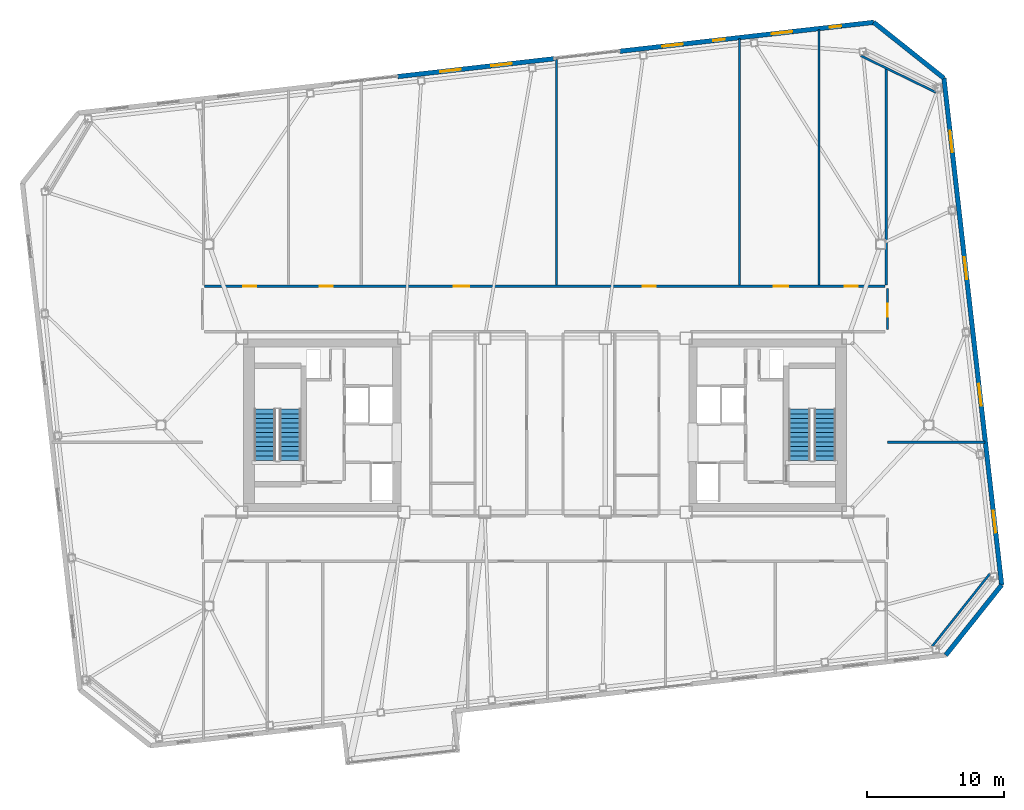
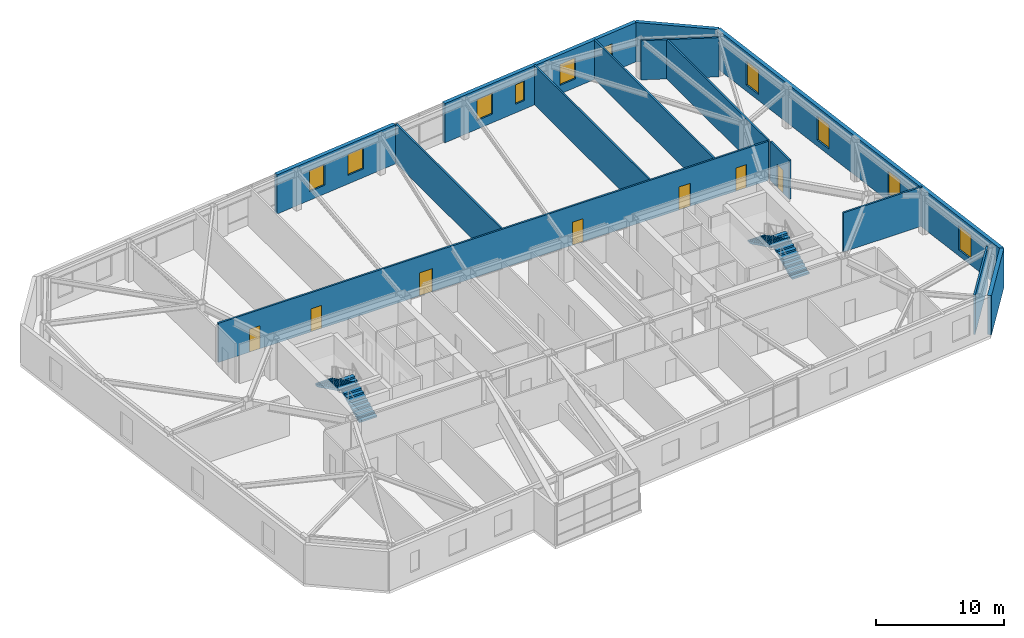
# One storey, part 16 of 19: 14 walls, 10 windows, 7 doors, 4 stair flights, 17 openings, 2 elements without a shape of their own.
"""IFC4 building model written with IfcOpenShell, lengths in metres."""

from ifc_helpers import new_model, si_unit, direction, frame, frame_2d, origin, place, context, subcontext, project, spatial, polyline, rectangle, outline, extrude, material, layer, layer_set, type_object, element, fill, aggregate, save


model = new_model("IFC4")

# Units and contexts
model_context = context("Model", 3, precision=1e-05, world=origin(), true_north=direction((0.0, 1.0)))
body_context = subcontext(model_context, "Body", "Model", "MODEL_VIEW")
ifc_project = project(units=[si_unit("LENGTHUNIT", "METRE"), si_unit("AREAUNIT", "SQUARE_METRE"), si_unit("VOLUMEUNIT", "CUBIC_METRE"), si_unit("PLANEANGLEUNIT", "RADIAN"), si_unit("MASSUNIT", "GRAM", prefix="KILO")], contexts=[model_context])

# Site, building, storey
site_placement = place(None, origin())
site = spatial("IfcSite", under=ifc_project, at=site_placement, CompositionType="ELEMENT")
building_placement = place(site_placement, origin())
building = spatial("IfcBuilding", under=site, at=building_placement, Name="Tavrogorsk Clinical Tower", CompositionType="ELEMENT")
storey_placement = place(building_placement, frame((0.0, 0.0, 218.199951171875)))
storey = spatial("IfcBuildingStorey", under=building, at=storey_placement, Name="L50", CompositionType="ELEMENT", Elevation=218.199951171875)

# Walls
ifc_material_1 = material(Name="Lightweight concrete blockwork B15", Category="masonry")
ifc_layer_1 = layer(ifc_material_1, 0.159912109375)
ifc_layer_set_1 = layer_set([ifc_layer_1], Name="Lightweight concrete blockwork B15")
wall_type_1 = type_object("IfcWallType", Name="PartitionWall_160", PredefinedType="PARTITIONING", material=ifc_layer_set_1)
wall_1_placement = place(storey_placement, frame((28.242431640625, -16.1337890625, 0.0), z_axis=(0.0, 0.0, 1.0), x_axis=(0.622521563328, 0.782602647064, 0.0)))
element("IfcWall", 1, at=wall_1_placement, inside=storey, type_object=wall_type_1, Name="L50 Corner Exoskeleton Brace Furring Wall 1", PredefinedType="PARTITIONING", context=body_context, shape_type="SweptSolid", body=[
    extrude(rectangle(XDim=6.788330078125, YDim=0.159912109375, at=frame_2d((3.39404296875, 0.0))), origin(), (0.0, 0.0, 1.0), 3.739990234375),
])
wall_2_placement = place(storey_placement, frame((28.5283203125, 24.27099609375, 0.0), z_axis=(0.0, 0.0, 1.0), x_axis=(-0.898820692789, 0.438316509173, 0.0)))
element("IfcWall", 2, at=wall_2_placement, inside=storey, type_object=wall_type_1, Name="L50 Corner Exoskeleton Brace Furring Wall 2", PredefinedType="PARTITIONING", context=body_context, shape_type="SweptSolid", body=[
    extrude(rectangle(XDim=6.10693359375, YDim=0.159912109375, at=frame_2d((3.053466796875, 0.0))), origin(), (0.0, 0.0, 1.0), 3.739990234375),
])

# Wall, openings, doors
wall_3_placement = place(storey_placement, frame((-24.81494140625, 10.1298828125, 0.0), z_axis=(0.0, 0.0, 1.0), x_axis=(1.0, 0.0, 0.0)))
wall_3 = element("IfcWall", 3, at=wall_3_placement, inside=storey, type_object=wall_type_1, Name="L50 Corridor Partition 05", PredefinedType="PARTITIONING", context=body_context, shape_type="SweptSolid", body=[
    extrude(rectangle(XDim=49.6298828125, YDim=0.159912109375, at=frame_2d((24.81494140625, 0.0))), origin(), (0.0, 0.0, 1.0), 3.739990234375),
])
opening_1_placement = place(wall_3_placement, frame((2.819091796875, 0.0, 0.0)))
opening_1 = element("IfcOpeningElement", 4, at=opening_1_placement, cuts=wall_3, Name="Opening ID-02", PredefinedType="OPENING", context=body_context, shape_type="SweptSolid", body=[
    extrude(rectangle(XDim=0.949951171875, YDim=2.199951171875, at=frame_2d((0.47509765625, 1.10009765625))), frame((0.0, 0.08984375, 0.0), z_axis=(0.0, -1.0, 0.0), x_axis=(1.0, 0.0, 0.0)), (0.0, 0.0, 1.0), 0.179931640625),
])
opening_2_placement = place(wall_3_placement, frame((8.375, 0.0, 0.0)))
opening_2 = element("IfcOpeningElement", 5, at=opening_2_placement, cuts=wall_3, Name="Opening ID-02", PredefinedType="OPENING", context=body_context, shape_type="SweptSolid", body=[
    extrude(rectangle(XDim=0.949951171875, YDim=2.199951171875, at=frame_2d((0.47509765625, 1.10009765625))), frame((0.0, 0.08984375, 0.0), z_axis=(0.0, -1.0, 0.0), x_axis=(1.0, 0.0, 0.0)), (0.0, 0.0, 1.0), 0.179931640625),
])
opening_3_placement = place(wall_3_placement, frame((18.14990234375, 0.0, 0.0)))
opening_3 = element("IfcOpeningElement", 6, at=opening_3_placement, cuts=wall_3, Name="Opening ID-06", PredefinedType="OPENING", context=body_context, shape_type="SweptSolid", body=[
    extrude(rectangle(XDim=1.14990234375, YDim=2.199951171875, at=frame_2d((0.574951171875, 1.10009765625))), frame((0.0, 0.08984375, 0.0), z_axis=(0.0, -1.0, 0.0), x_axis=(1.0, 0.0, 0.0)), (0.0, 0.0, 1.0), 0.179931640625),
])
opening_4_placement = place(wall_3_placement, frame((31.949951171875, 0.0, 0.0)))
opening_4 = element("IfcOpeningElement", 7, at=opening_4_placement, cuts=wall_3, Name="Opening ID-02", PredefinedType="OPENING", context=body_context, shape_type="SweptSolid", body=[
    extrude(rectangle(XDim=0.949951171875, YDim=2.199951171875, at=frame_2d((0.47509765625, 1.10009765625))), frame((0.0, 0.08984375, 0.0), z_axis=(0.0, -1.0, 0.0), x_axis=(1.0, 0.0, 0.0)), (0.0, 0.0, 1.0), 0.179931640625),
])
opening_5_placement = place(wall_3_placement, frame((41.52490234375, 0.0, 0.0)))
opening_5 = element("IfcOpeningElement", 8, at=opening_5_placement, cuts=wall_3, Name="Opening ID-04", PredefinedType="OPENING", context=body_context, shape_type="SweptSolid", body=[
    extrude(rectangle(XDim=1.050048828125, YDim=2.199951171875, at=frame_2d((0.52490234375, 1.10009765625))), frame((0.0, 0.08984375, 0.0), z_axis=(0.0, -1.0, 0.0), x_axis=(1.0, 0.0, 0.0)), (0.0, 0.0, 1.0), 0.179931640625),
])
opening_6_placement = place(wall_3_placement, frame((46.680908203125, 0.0, 0.0)))
opening_6 = element("IfcOpeningElement", 9, at=opening_6_placement, cuts=wall_3, Name="Opening ID-02", PredefinedType="OPENING", context=body_context, shape_type="SweptSolid", body=[
    extrude(rectangle(XDim=0.949951171875, YDim=2.199951171875, at=frame_2d((0.47509765625, 1.10009765625))), frame((0.0, 0.08984375, 0.0), z_axis=(0.0, -1.0, 0.0), x_axis=(1.0, 0.0, 0.0)), (0.0, 0.0, 1.0), 0.179931640625),
])
ifc_material_2 = material(Name="Antibacterial HPL consultation door on aluminium frame", Category="aluminium")
door_type_1 = type_object("IfcDoorType", Name="ConsultDoor_ID04_1050", OperationType="NOTDEFINED", PredefinedType="DOOR", material=ifc_material_2)
door_1_placement = place(opening_5_placement, origin())
door_1 = element("IfcDoor", 10, at=door_1_placement, inside=storey, type_object=door_type_1, Name="L50 North Outpatient Renal Dialysis Station 03A Door", OperationType="SINGLE_SWING_LEFT", OverallHeight=2.199951171875, OverallWidth=1.050048828125, PredefinedType="DOOR", context=body_context, shape_type="SweptSolid", body=[
    extrude(rectangle(XDim=1.050048828125, YDim=2.199951171875, at=frame_2d((0.52490234375, 1.10009765625))), frame((0.0, 0.02490234375, 0.0), z_axis=(0.0, -1.0, 0.0), x_axis=(1.0, 0.0, 0.0)), (0.0, 0.0, 1.0), 0.050048828125),
])
fill(opening_5, door_1)
ifc_material_3 = material(Name="Laminated timber leaf on aluminium frame", Category="wood")
door_type_2 = type_object("IfcDoorType", Name="InteriorDoor_ID02_950", OperationType="NOTDEFINED", PredefinedType="DOOR", material=ifc_material_3)
door_2_placement = place(opening_1_placement, origin())
door_2 = element("IfcDoor", 11, at=door_2_placement, inside=storey, type_object=door_type_2, Name="L50 North Nephrology Consultation Office 01A Door", OperationType="SINGLE_SWING_LEFT", OverallHeight=2.199951171875, OverallWidth=0.949951171875, PredefinedType="DOOR", context=body_context, shape_type="SweptSolid", body=[
    extrude(rectangle(XDim=0.949951171875, YDim=2.199951171875, at=frame_2d((0.47509765625, 1.10009765625))), frame((0.0, 0.02490234375, 0.0), z_axis=(0.0, -1.0, 0.0), x_axis=(1.0, 0.0, 0.0)), (0.0, 0.0, 1.0), 0.050048828125),
])
fill(opening_1, door_2)
door_3_placement = place(opening_2_placement, origin())
door_3 = element("IfcDoor", 12, at=door_3_placement, inside=storey, type_object=door_type_2, Name="L50 North Renal Patient Quiet Lounge 01B Door", OperationType="SINGLE_SWING_RIGHT", OverallHeight=2.199951171875, OverallWidth=0.949951171875, PredefinedType="DOOR", context=body_context, shape_type="SweptSolid", body=[
    extrude(rectangle(XDim=0.949951171875, YDim=2.199951171875, at=frame_2d((0.47509765625, 1.10009765625))), frame((0.0, 0.02490234375, 0.0), z_axis=(0.0, -1.0, 0.0), x_axis=(1.0, 0.0, 0.0)), (0.0, 0.0, 1.0), 0.050048828125),
])
fill(opening_2, door_3)
door_4_placement = place(opening_4_placement, origin())
door_4 = element("IfcDoor", 13, at=door_4_placement, inside=storey, type_object=door_type_2, Name="L50 North Nephrology Consultation Office 02B Door", OperationType="SINGLE_SWING_RIGHT", OverallHeight=2.199951171875, OverallWidth=0.949951171875, PredefinedType="DOOR", context=body_context, shape_type="SweptSolid", body=[
    extrude(rectangle(XDim=0.949951171875, YDim=2.199951171875, at=frame_2d((0.47509765625, 1.10009765625))), frame((0.0, 0.02490234375, 0.0), z_axis=(0.0, -1.0, 0.0), x_axis=(1.0, 0.0, 0.0)), (0.0, 0.0, 1.0), 0.050048828125),
])
fill(opening_4, door_4)
door_5_placement = place(opening_6_placement, origin())
door_5 = element("IfcDoor", 14, at=door_5_placement, inside=storey, type_object=door_type_2, Name="L50 North Dialysis Water Treatment Utility 03B Door", OperationType="SINGLE_SWING_RIGHT", OverallHeight=2.199951171875, OverallWidth=0.949951171875, PredefinedType="DOOR", context=body_context, shape_type="SweptSolid", body=[
    extrude(rectangle(XDim=0.949951171875, YDim=2.199951171875, at=frame_2d((0.47509765625, 1.10009765625))), frame((0.0, 0.02490234375, 0.0), z_axis=(0.0, -1.0, 0.0), x_axis=(1.0, 0.0, 0.0)), (0.0, 0.0, 1.0), 0.050048828125),
])
fill(opening_6, door_5)
ifc_material_4 = material(Name="Antibacterial HPL procedure door on aluminium frame", Category="aluminium")
door_type_3 = type_object("IfcDoorType", Name="LabDoor_ID06_1150", OperationType="NOTDEFINED", PredefinedType="DOOR", material=ifc_material_4)
door_6_placement = place(opening_3_placement, origin())
door_6 = element("IfcDoor", 15, at=door_6_placement, inside=storey, type_object=door_type_3, Name="L50 North Dialysis Water Treatment Utility 02A Door", OperationType="SINGLE_SWING_LEFT", OverallHeight=2.199951171875, OverallWidth=1.14990234375, PredefinedType="DOOR", context=body_context, shape_type="SweptSolid", body=[
    extrude(rectangle(XDim=1.14990234375, YDim=2.199951171875, at=frame_2d((0.574951171875, 1.10009765625))), frame((0.0, 0.02490234375, 0.0), z_axis=(0.0, -1.0, 0.0), x_axis=(1.0, 0.0, 0.0)), (0.0, 0.0, 1.0), 0.050048828125),
])
fill(opening_3, door_6)

# Wall, opening, door
wall_4_placement = place(storey_placement, frame((24.97998046875, 9.965087890625, 0.0), z_axis=(0.0, 0.0, 1.0), x_axis=(0.0, -1.0, 0.0)))
wall_4 = element("IfcWall", 16, at=wall_4_placement, inside=storey, type_object=wall_type_1, Name="L50 Corridor Partition 06", PredefinedType="PARTITIONING", context=body_context, shape_type="SweptSolid", body=[
    extrude(rectangle(XDim=2.97998046875, YDim=0.159912109375, at=frame_2d((1.489990234375, 0.0))), origin(), (0.0, 0.0, 1.0), 3.739990234375),
])
opening_7_placement = place(wall_4_placement, frame((1.10009765625, 0.0, 0.0)))
opening_7 = element("IfcOpeningElement", 17, at=opening_7_placement, cuts=wall_4, Name="Opening ID-02", PredefinedType="OPENING", context=body_context, shape_type="SweptSolid", body=[
    extrude(rectangle(XDim=0.949951171875, YDim=2.199951171875, at=frame_2d((0.47509765625, 1.10009765625))), frame((0.0, 0.08984375, 0.0), z_axis=(0.0, -1.0, 0.0), x_axis=(1.0, 0.0, 0.0)), (0.0, 0.0, 1.0), 0.179931640625),
])
door_7_placement = place(opening_7_placement, origin())
door_7 = element("IfcDoor", 18, at=door_7_placement, inside=storey, type_object=door_type_2, Name="L50 E Multidisciplinary Seminar Suite 2 Door", OperationType="SINGLE_SWING_LEFT", OverallHeight=2.199951171875, OverallWidth=0.949951171875, PredefinedType="DOOR", context=body_context, shape_type="SweptSolid", body=[
    extrude(rectangle(XDim=0.949951171875, YDim=2.199951171875, at=frame_2d((0.47509765625, 1.10009765625))), frame((0.0, 0.02490234375, 0.0), z_axis=(0.0, -1.0, 0.0), x_axis=(1.0, 0.0, 0.0)), (0.0, 0.0, 1.0), 0.050048828125),
])
fill(opening_7, door_7)

# Walls
wall_5_placement = place(storey_placement, frame((24.89990234375, 10.215087890625, 0.0), z_axis=(0.0, 0.0, 1.0), x_axis=(0.0, 1.0, 0.0)))
element("IfcWall", 19, at=wall_5_placement, inside=storey, type_object=wall_type_1, Name="L50 NE Wing Closure Partition", PredefinedType="PARTITIONING", context=body_context, shape_type="SweptSolid", body=[
    extrude(rectangle(XDim=15.829345703125, YDim=0.159912109375, at=frame_2d((7.91455078125, 0.0))), origin(), (0.0, 0.0, 1.0), 3.739990234375),
])
wall_6_placement = place(storey_placement, frame((14.199951171875, 10.215087890625, 0.0), z_axis=(0.0, 0.0, 1.0), x_axis=(0.0, 1.0, 0.0)))
element("IfcWall", 20, at=wall_6_placement, inside=storey, type_object=wall_type_1, Name="L50 North Room Partition 2", PredefinedType="PARTITIONING", context=body_context, shape_type="SweptSolid", body=[
    extrude(rectangle(XDim=17.986083984375, YDim=0.159912109375, at=frame_2d((8.9931640625, 0.0))), origin(), (0.0, 0.0, 1.0), 3.739990234375),
])
wall_7_placement = place(storey_placement, frame((0.85009765625, 10.215087890625, 0.0), z_axis=(0.0, 0.0, 1.0), x_axis=(0.0, 1.0, 0.0)))
element("IfcWall", 21, at=wall_7_placement, inside=storey, type_object=wall_type_1, Name="L50 North Sub-Partition 2", PredefinedType="PARTITIONING", context=body_context, shape_type="SweptSolid", body=[
    extrude(rectangle(XDim=16.465087890625, YDim=0.159912109375, at=frame_2d((8.232421875, 0.0))), origin(), (0.0, 0.0, 1.0), 3.739990234375),
])
wall_8_placement = place(storey_placement, frame((20.0, 10.215087890625, 0.0), z_axis=(0.0, 0.0, 1.0), x_axis=(0.0, 1.0, 0.0)))
element("IfcWall", 22, at=wall_8_placement, inside=storey, type_object=wall_type_1, Name="L50 North Sub-Partition 3", PredefinedType="PARTITIONING", context=body_context, shape_type="SweptSolid", body=[
    extrude(rectangle(XDim=18.64697265625, YDim=0.159912109375, at=frame_2d((9.323486328125, 0.0))), origin(), (0.0, 0.0, 1.0), 3.739990234375),
])
wall_9_placement = place(storey_placement, frame((24.97998046875, -1.25, 0.0), z_axis=(0.0, 0.0, 1.0), x_axis=(1.0, 0.0, 0.0)))
element("IfcWall", 23, at=wall_9_placement, inside=storey, type_object=wall_type_1, Name="L50 E Wing Divider 1", PredefinedType="PARTITIONING", context=body_context, shape_type="SweptSolid", body=[
    extrude(rectangle(XDim=7.133056640625, YDim=0.159912109375, at=frame_2d((3.56640625, 0.0))), origin(), (0.0, 0.0, 1.0), 3.739990234375),
])

# Wall, openings, windows
ifc_material_5 = material(Name="Precast concrete B45 with limestone cladding", Category="masonry")
ifc_layer_2 = layer(ifc_material_5, 0.340087890625)
ifc_layer_set_2 = layer_set([ifc_layer_2], Name="Precast concrete B45 with limestone cladding")
wall_type_2 = type_object("IfcWallType", Name="PrecastLimestoneWall_340", PredefinedType="STANDARD", material=ifc_layer_set_2)
wall_10_placement = place(storey_placement, frame((23.982666015625, 29.38623046875, 0.0), z_axis=(0.0, 0.0, 1.0), x_axis=(-0.993572271362, -0.113199565282, 0.0)))
wall_10 = element("IfcWall", 24, at=wall_10_placement, inside=storey, type_object=wall_type_2, Name="L50 N Limestone Facade Wall 1", PredefinedType="STANDARD", context=body_context, shape_type="SweptSolid", body=[
    extrude(rectangle(XDim=18.6513671875, YDim=0.340087890625, at=frame_2d((9.32568359375, 0.0))), origin(), (0.0, 0.0, 1.0), 3.739990234375),
])
opening_8_placement = place(wall_10_placement, frame((14.027099609375, 0.0, 0.830078125)))
opening_8 = element("IfcOpeningElement", 25, at=opening_8_placement, cuts=wall_10, Name="Opening WN-05", PredefinedType="OPENING", context=body_context, shape_type="SweptSolid", body=[
    extrude(rectangle(XDim=1.5, YDim=2.0, at=frame_2d((0.75, 1.0))), frame((0.0, 0.179931640625, 0.0), z_axis=(0.0, -1.0, 0.0), x_axis=(1.0, 0.0, 0.0)), (0.0, 0.0, 1.0), 0.360107421875),
])
opening_9_placement = place(wall_10_placement, frame((10.9287109375, 0.0, 0.830078125)))
opening_9 = element("IfcOpeningElement", 26, at=opening_9_placement, cuts=wall_10, Name="Opening WN-06", PredefinedType="OPENING", context=body_context, shape_type="SweptSolid", body=[
    extrude(rectangle(XDim=0.85009765625, YDim=1.85009765625, at=frame_2d((0.425048828125, 0.925048828125))), frame((0.0, 0.179931640625, 0.0), z_axis=(0.0, -1.0, 0.0), x_axis=(1.0, 0.0, 0.0)), (0.0, 0.0, 1.0), 0.360107421875),
])
opening_10_placement = place(wall_10_placement, frame((5.97314453125, 0.0, 0.830078125)))
opening_10 = element("IfcOpeningElement", 27, at=opening_10_placement, cuts=wall_10, Name="Opening WN-05", PredefinedType="OPENING", context=body_context, shape_type="SweptSolid", body=[
    extrude(rectangle(XDim=1.5, YDim=2.0, at=frame_2d((0.75, 1.0))), frame((0.0, 0.179931640625, 0.0), z_axis=(0.0, -1.0, 0.0), x_axis=(1.0, 0.0, 0.0)), (0.0, 0.0, 1.0), 0.360107421875),
])
opening_11_placement = place(wall_10_placement, frame((2.385986328125, 0.0, 0.830078125)))
opening_11 = element("IfcOpeningElement", 28, at=opening_11_placement, cuts=wall_10, Name="Opening WN-06", PredefinedType="OPENING", context=body_context, shape_type="SweptSolid", body=[
    extrude(rectangle(XDim=0.85009765625, YDim=1.85009765625, at=frame_2d((0.425048828125, 0.925048828125))), frame((0.0, 0.179931640625, 0.0), z_axis=(0.0, -1.0, 0.0), x_axis=(1.0, 0.0, 0.0)), (0.0, 0.0, 1.0), 0.360107421875),
])
ifc_material_6 = material(Name="Thermally broken aluminium frame and triple IGU", Category="aluminium")
window_type_1 = type_object("IfcWindowType", Name="ConsultWin_1500x2000", PartitioningType="SINGLE_PANEL", PredefinedType="WINDOW", material=ifc_material_6)
window_1_placement = place(opening_8_placement, origin())
window_1 = element("IfcWindow", 29, at=window_1_placement, inside=storey, type_object=window_type_1, Name="L50 N Chicago Window 07", OverallHeight=2.0, OverallWidth=1.5, PartitioningType="SINGLE_PANEL", PredefinedType="WINDOW", context=body_context, shape_type="SweptSolid", body=[
    extrude(rectangle(XDim=1.5, YDim=2.0, at=frame_2d((0.75, 1.0))), frame((0.0, 0.030029296875, 0.0), z_axis=(0.0, -1.0, 0.0), x_axis=(1.0, 0.0, 0.0)), (0.0, 0.0, 1.0), 0.06005859375),
])
fill(opening_8, window_1)
window_2_placement = place(opening_10_placement, origin())
window_2 = element("IfcWindow", 30, at=window_2_placement, inside=storey, type_object=window_type_1, Name="L50 N Chicago Window 09", OverallHeight=2.0, OverallWidth=1.5, PartitioningType="SINGLE_PANEL", PredefinedType="WINDOW", context=body_context, shape_type="SweptSolid", body=[
    extrude(rectangle(XDim=1.5, YDim=2.0, at=frame_2d((0.75, 1.0))), frame((0.0, 0.030029296875, 0.0), z_axis=(0.0, -1.0, 0.0), x_axis=(1.0, 0.0, 0.0)), (0.0, 0.0, 1.0), 0.06005859375),
])
fill(opening_10, window_2)
ifc_material_7 = material(Name="Thermally broken aluminium frame and triple IGU", Category="aluminium")
window_type_2 = type_object("IfcWindowType", Name="MullionSubWin_850x1850", PartitioningType="SINGLE_PANEL", PredefinedType="WINDOW", material=ifc_material_7)
window_3_placement = place(opening_9_placement, origin())
window_3 = element("IfcWindow", 31, at=window_3_placement, inside=storey, type_object=window_type_2, Name="L50 N Mullion Split Window 08B", OverallHeight=1.85009765625, OverallWidth=0.85009765625, PartitioningType="SINGLE_PANEL", PredefinedType="WINDOW", context=body_context, shape_type="SweptSolid", body=[
    extrude(rectangle(XDim=0.85009765625, YDim=1.85009765625, at=frame_2d((0.425048828125, 0.925048828125))), frame((0.0, 0.030029296875, 0.0), z_axis=(0.0, -1.0, 0.0), x_axis=(1.0, 0.0, 0.0)), (0.0, 0.0, 1.0), 0.06005859375),
])
fill(opening_9, window_3)
window_4_placement = place(opening_11_placement, origin())
window_4 = element("IfcWindow", 32, at=window_4_placement, inside=storey, type_object=window_type_2, Name="L50 N Mullion Split Window 10A", OverallHeight=1.85009765625, OverallWidth=0.85009765625, PartitioningType="SINGLE_PANEL", PredefinedType="WINDOW", context=body_context, shape_type="SweptSolid", body=[
    extrude(rectangle(XDim=0.85009765625, YDim=1.85009765625, at=frame_2d((0.425048828125, 0.925048828125))), frame((0.0, 0.030029296875, 0.0), z_axis=(0.0, -1.0, 0.0), x_axis=(1.0, 0.0, 0.0)), (0.0, 0.0, 1.0), 0.06005859375),
])
fill(opening_11, window_4)

wall_11_placement = place(storey_placement, frame((0.681884765625, 26.7314453125, 0.0), z_axis=(0.0, 0.0, 1.0), x_axis=(-0.993571968199, -0.113202226169, 0.0)))
wall_11 = element("IfcWall", 33, at=wall_11_placement, inside=storey, type_object=wall_type_2, Name="L50 N Limestone Facade Wall 2", PredefinedType="STANDARD", context=body_context, shape_type="SweptSolid", body=[
    extrude(rectangle(XDim=11.497314453125, YDim=0.340087890625, at=frame_2d((5.74853515625, 0.0))), origin(), (0.0, 0.0, 1.0), 3.739990234375),
])
opening_12_placement = place(wall_11_placement, frame((6.872802734375, 0.0, 0.830078125)))
opening_12 = element("IfcOpeningElement", 34, at=opening_12_placement, cuts=wall_11, Name="Opening WN-05", PredefinedType="OPENING", context=body_context, shape_type="SweptSolid", body=[
    extrude(rectangle(XDim=1.5, YDim=2.0, at=frame_2d((0.75, 1.0))), frame((0.0, 0.179931640625, 0.0), z_axis=(0.0, -1.0, 0.0), x_axis=(1.0, 0.0, 0.0)), (0.0, 0.0, 1.0), 0.360107421875),
])
opening_13_placement = place(wall_11_placement, frame((3.12451171875, 0.0, 0.830078125)))
opening_13 = element("IfcOpeningElement", 35, at=opening_13_placement, cuts=wall_11, Name="Opening WN-05", PredefinedType="OPENING", context=body_context, shape_type="SweptSolid", body=[
    extrude(rectangle(XDim=1.5, YDim=2.0, at=frame_2d((0.75, 1.0))), frame((0.0, 0.179931640625, 0.0), z_axis=(0.0, -1.0, 0.0), x_axis=(1.0, 0.0, 0.0)), (0.0, 0.0, 1.0), 0.360107421875),
])
window_5_placement = place(opening_12_placement, origin())
window_5 = element("IfcWindow", 36, at=window_5_placement, inside=storey, type_object=window_type_1, Name="L50 N Chicago Window 05", OverallHeight=2.0, OverallWidth=1.5, PartitioningType="SINGLE_PANEL", PredefinedType="WINDOW", context=body_context, shape_type="SweptSolid", body=[
    extrude(rectangle(XDim=1.5, YDim=2.0, at=frame_2d((0.75, 1.0))), frame((0.0, 0.030029296875, 0.0), z_axis=(0.0, -1.0, 0.0), x_axis=(1.0, 0.0, 0.0)), (0.0, 0.0, 1.0), 0.06005859375),
])
fill(opening_12, window_5)
window_6_placement = place(opening_13_placement, origin())
window_6 = element("IfcWindow", 37, at=window_6_placement, inside=storey, type_object=window_type_1, Name="L50 N Chicago Window 06", OverallHeight=2.0, OverallWidth=1.5, PartitioningType="SINGLE_PANEL", PredefinedType="WINDOW", context=body_context, shape_type="SweptSolid", body=[
    extrude(rectangle(XDim=1.5, YDim=2.0, at=frame_2d((0.75, 1.0))), frame((0.0, 0.030029296875, 0.0), z_axis=(0.0, -1.0, 0.0), x_axis=(1.0, 0.0, 0.0)), (0.0, 0.0, 1.0), 0.06005859375),
])
fill(opening_13, window_6)

wall_12_placement = place(storey_placement, frame((33.318115234375, -11.65087890625, 0.0), z_axis=(0.0, 0.0, 1.0), x_axis=(-0.11320360501, 0.9935718111, 0.0)))
wall_12 = element("IfcWall", 38, at=wall_12_placement, inside=storey, type_object=wall_type_2, Name="L50 E Pleated Limestone Wing Wall", PredefinedType="STANDARD", context=body_context, shape_type="SweptSolid", body=[
    extrude(rectangle(XDim=37.199951171875, YDim=0.340087890625, at=frame_2d((18.60009765625, 0.0))), origin(), (0.0, 0.0, 1.0), 3.739990234375),
])
opening_14_placement = place(wall_12_placement, frame((3.85009765625, 0.0, 0.580078125)))
opening_14 = element("IfcOpeningElement", 39, at=opening_14_placement, cuts=wall_12, Name="Opening WN-07", PredefinedType="OPENING", context=body_context, shape_type="SweptSolid", body=[
    extrude(rectangle(XDim=1.60009765625, YDim=2.300048828125, at=frame_2d((0.800048828125, 1.14990234375))), frame((0.0, 0.179931640625, 0.0), z_axis=(0.0, -1.0, 0.0), x_axis=(1.0, 0.0, 0.0)), (0.0, 0.0, 1.0), 0.360107421875),
])
opening_15_placement = place(wall_12_placement, frame((13.14990234375, 0.0, 0.580078125)))
opening_15 = element("IfcOpeningElement", 40, at=opening_15_placement, cuts=wall_12, Name="Opening WN-07", PredefinedType="OPENING", context=body_context, shape_type="SweptSolid", body=[
    extrude(rectangle(XDim=1.60009765625, YDim=2.300048828125, at=frame_2d((0.800048828125, 1.14990234375))), frame((0.0, 0.179931640625, 0.0), z_axis=(0.0, -1.0, 0.0), x_axis=(1.0, 0.0, 0.0)), (0.0, 0.0, 1.0), 0.360107421875),
])
opening_16_placement = place(wall_12_placement, frame((22.449951171875, 0.0, 0.580078125)))
opening_16 = element("IfcOpeningElement", 41, at=opening_16_placement, cuts=wall_12, Name="Opening WN-07", PredefinedType="OPENING", context=body_context, shape_type="SweptSolid", body=[
    extrude(rectangle(XDim=1.60009765625, YDim=2.300048828125, at=frame_2d((0.800048828125, 1.14990234375))), frame((0.0, 0.179931640625, 0.0), z_axis=(0.0, -1.0, 0.0), x_axis=(1.0, 0.0, 0.0)), (0.0, 0.0, 1.0), 0.360107421875),
])
opening_17_placement = place(wall_12_placement, frame((31.75, 0.0, 0.580078125)))
opening_17 = element("IfcOpeningElement", 42, at=opening_17_placement, cuts=wall_12, Name="Opening WN-07", PredefinedType="OPENING", context=body_context, shape_type="SweptSolid", body=[
    extrude(rectangle(XDim=1.60009765625, YDim=2.300048828125, at=frame_2d((0.800048828125, 1.14990234375))), frame((0.0, 0.179931640625, 0.0), z_axis=(0.0, -1.0, 0.0), x_axis=(1.0, 0.0, 0.0)), (0.0, 0.0, 1.0), 0.360107421875),
])
ifc_material_8 = material(Name="Thermally broken aluminium frame and triple IGU", Category="aluminium")
window_type_3 = type_object("IfcWindowType", Name="PleatSlotWin_1600x2300", PartitioningType="SINGLE_PANEL", PredefinedType="WINDOW", material=ifc_material_8)
window_7_placement = place(opening_14_placement, origin())
window_7 = element("IfcWindow", 43, at=window_7_placement, inside=storey, type_object=window_type_3, Name="L50 E Pleat Slot Window 1", OverallHeight=2.300048828125, OverallWidth=1.60009765625, PartitioningType="SINGLE_PANEL", PredefinedType="WINDOW", context=body_context, shape_type="SweptSolid", body=[
    extrude(rectangle(XDim=1.60009765625, YDim=2.300048828125, at=frame_2d((0.800048828125, 1.14990234375))), frame((0.0, 0.030029296875, 0.0), z_axis=(0.0, -1.0, 0.0), x_axis=(1.0, 0.0, 0.0)), (0.0, 0.0, 1.0), 0.06005859375),
])
fill(opening_14, window_7)
window_8_placement = place(opening_15_placement, origin())
window_8 = element("IfcWindow", 44, at=window_8_placement, inside=storey, type_object=window_type_3, Name="L50 E Pleat Slot Window 2", OverallHeight=2.300048828125, OverallWidth=1.60009765625, PartitioningType="SINGLE_PANEL", PredefinedType="WINDOW", context=body_context, shape_type="SweptSolid", body=[
    extrude(rectangle(XDim=1.60009765625, YDim=2.300048828125, at=frame_2d((0.800048828125, 1.14990234375))), frame((0.0, 0.030029296875, 0.0), z_axis=(0.0, -1.0, 0.0), x_axis=(1.0, 0.0, 0.0)), (0.0, 0.0, 1.0), 0.06005859375),
])
fill(opening_15, window_8)
window_9_placement = place(opening_16_placement, origin())
window_9 = element("IfcWindow", 45, at=window_9_placement, inside=storey, type_object=window_type_3, Name="L50 E Pleat Slot Window 3", OverallHeight=2.300048828125, OverallWidth=1.60009765625, PartitioningType="SINGLE_PANEL", PredefinedType="WINDOW", context=body_context, shape_type="SweptSolid", body=[
    extrude(rectangle(XDim=1.60009765625, YDim=2.300048828125, at=frame_2d((0.800048828125, 1.14990234375))), frame((0.0, 0.030029296875, 0.0), z_axis=(0.0, -1.0, 0.0), x_axis=(1.0, 0.0, 0.0)), (0.0, 0.0, 1.0), 0.06005859375),
])
fill(opening_16, window_9)
window_10_placement = place(opening_17_placement, origin())
window_10 = element("IfcWindow", 46, at=window_10_placement, inside=storey, type_object=window_type_3, Name="L50 E Pleat Slot Window 4", OverallHeight=2.300048828125, OverallWidth=1.60009765625, PartitioningType="SINGLE_PANEL", PredefinedType="WINDOW", context=body_context, shape_type="SweptSolid", body=[
    extrude(rectangle(XDim=1.60009765625, YDim=2.300048828125, at=frame_2d((0.800048828125, 1.14990234375))), frame((0.0, 0.030029296875, 0.0), z_axis=(0.0, -1.0, 0.0), x_axis=(1.0, 0.0, 0.0)), (0.0, 0.0, 1.0), 0.06005859375),
])
fill(opening_17, window_10)

# Walls
for number, where, z_axis, x_axis, name in (
    (47, (29.241943359375, -16.775146484375, 0.0), (0.0, 0.0, 1.0), (0.62252823689, 0.78259733853, 0.0), "L50 Chamfered Corner Wall 1"),
    (48, (29.10693359375, 25.31005859375, 0.0), (0.0, 0.0, 1.0), (-0.78259733853, 0.62252823689, 0.0), "L50 Chamfered Corner Wall 2"),
):
    element("IfcWall", number, at=place(storey_placement, frame(where, z_axis=z_axis, x_axis=x_axis)), inside=storey, type_object=wall_type_2, Name=name, PredefinedType="STANDARD", context=body_context, shape_type="SweptSolid", body=[
        extrude(rectangle(XDim=6.5478515625, YDim=0.340087890625, at=frame_2d((3.27392578125, 0.0))), origin(), (0.0, 0.0, 1.0), 3.739990234375),
    ])

# Stair, stair flights
ifc_material_9 = material(Name="Concrete B60", Category="concrete")
stair_type = type_object("IfcStairType", Name="CoreStairAssembly", PredefinedType="HALF_TURN_STAIR", material=ifc_material_9)
stair_1_placement = place(storey_placement, origin())
stair_1 = element("IfcStair", 49, at=stair_1_placement, inside=storey, type_object=stair_type, Name="L50 ST-W", PredefinedType="HALF_TURN_STAIR")
ifc_material_10 = material(Name="Concrete B60", Category="concrete")
stair_flight_type = type_object("IfcStairFlightType", Name="CoreStairFlight", PredefinedType="STRAIGHT", material=ifc_material_10)
stair_flight_1_placement = place(storey_placement, frame((-18.574951171875, -2.574951171875, 0.0), z_axis=(0.0, 0.0, 1.0), x_axis=(0.0, 1.0, 0.0)))
stair_flight_1 = element("IfcStairFlight", 50, at=stair_flight_1_placement, type_object=stair_flight_type, Name="ST-W flight 1", NumberOfRisers=12, NumberOfTreads=11, PredefinedType="STRAIGHT", RiserHeight=0.166666667, TreadLength=0.34, context=body_context, shape_type="SweptSolid", body=[
    extrude(outline(polyline([(0.0, 0.0), (0.0, 0.166748046875), (0.340087890625, 0.166748046875), (0.340087890625, 0.333251953125), (0.679931640625, 0.333251953125), (0.679931640625, 0.5), (1.02001953125, 0.5), (1.02001953125, 0.666748046875), (1.360107421875, 0.666748046875), (1.360107421875, 0.833251953125), (1.699951171875, 0.833251953125), (1.699951171875, 1.0), (2.0400390625, 1.0), (2.0400390625, 1.166748046875), (2.3798828125, 1.166748046875), (2.3798828125, 1.333251953125), (2.719970703125, 1.333251953125), (2.719970703125, 1.5), (3.06005859375, 1.5), (3.06005859375, 1.666748046875), (3.39990234375, 1.666748046875), (3.39990234375, 1.833251953125), (3.739990234375, 1.833251953125), (3.739990234375, 2.0), (3.739990234375, 1.66650390625), (0.340576171875, 0.0), (0.0, 0.0)])), frame((0.0, 0.77490234375, 0.0), z_axis=(0.0, -1.0, 0.0), x_axis=(1.0, 0.0, 0.0)), (0.0, 0.0, 1.0), 1.550048828125),
])
stair_flight_2_placement = place(storey_placement, frame((-20.425048828125, 1.1650390625, 2.0), z_axis=(0.0, 0.0, 1.0), x_axis=(0.0, -1.0, 0.0)))
stair_flight_2 = element("IfcStairFlight", 51, at=stair_flight_2_placement, type_object=stair_flight_type, Name="ST-W flight 2", NumberOfRisers=12, NumberOfTreads=11, PredefinedType="STRAIGHT", RiserHeight=0.166666667, TreadLength=0.34, context=body_context, shape_type="SweptSolid", body=[
    extrude(outline(polyline([(0.0, 0.0), (0.0, 0.166748046875), (0.340087890625, 0.166748046875), (0.340087890625, 0.333251953125), (0.679931640625, 0.333251953125), (0.679931640625, 0.5), (1.02001953125, 0.5), (1.02001953125, 0.666748046875), (1.360107421875, 0.666748046875), (1.360107421875, 0.833251953125), (1.699951171875, 0.833251953125), (1.699951171875, 1.0), (2.0400390625, 1.0), (2.0400390625, 1.166748046875), (2.3798828125, 1.166748046875), (2.3798828125, 1.333251953125), (2.719970703125, 1.333251953125), (2.719970703125, 1.5), (3.06005859375, 1.5), (3.06005859375, 1.666748046875), (3.39990234375, 1.666748046875), (3.39990234375, 1.833251953125), (3.739990234375, 1.833251953125), (3.739990234375, 2.0), (3.739990234375, 1.66650390625), (0.340576171875, 0.0), (0.0, 0.0)])), frame((0.0, 0.77490234375, 0.0), z_axis=(0.0, -1.0, 0.0), x_axis=(1.0, 0.0, 0.0)), (0.0, 0.0, 1.0), 1.550048828125),
])
aggregate(stair_1, [stair_flight_1, stair_flight_2])

stair_2_placement = place(storey_placement, origin())
stair_2 = element("IfcStair", 52, at=stair_2_placement, inside=storey, type_object=stair_type, Name="L50 ST-E", PredefinedType="HALF_TURN_STAIR")
stair_flight_3_placement = place(storey_placement, frame((20.425048828125, -2.574951171875, 0.0), z_axis=(0.0, 0.0, 1.0), x_axis=(0.0, 1.0, 0.0)))
stair_flight_3 = element("IfcStairFlight", 53, at=stair_flight_3_placement, type_object=stair_flight_type, Name="ST-E flight 1", NumberOfRisers=12, NumberOfTreads=11, PredefinedType="STRAIGHT", RiserHeight=0.166666667, TreadLength=0.34, context=body_context, shape_type="SweptSolid", body=[
    extrude(outline(polyline([(0.0, 0.0), (0.0, 0.166748046875), (0.340087890625, 0.166748046875), (0.340087890625, 0.333251953125), (0.679931640625, 0.333251953125), (0.679931640625, 0.5), (1.02001953125, 0.5), (1.02001953125, 0.666748046875), (1.360107421875, 0.666748046875), (1.360107421875, 0.833251953125), (1.699951171875, 0.833251953125), (1.699951171875, 1.0), (2.0400390625, 1.0), (2.0400390625, 1.166748046875), (2.3798828125, 1.166748046875), (2.3798828125, 1.333251953125), (2.719970703125, 1.333251953125), (2.719970703125, 1.5), (3.06005859375, 1.5), (3.06005859375, 1.666748046875), (3.39990234375, 1.666748046875), (3.39990234375, 1.833251953125), (3.739990234375, 1.833251953125), (3.739990234375, 2.0), (3.739990234375, 1.66650390625), (0.340576171875, 0.0), (0.0, 0.0)])), frame((0.0, 0.77490234375, 0.0), z_axis=(0.0, -1.0, 0.0), x_axis=(1.0, 0.0, 0.0)), (0.0, 0.0, 1.0), 1.550048828125),
])
stair_flight_4_placement = place(storey_placement, frame((18.574951171875, 1.1650390625, 2.0), z_axis=(0.0, 0.0, 1.0), x_axis=(0.0, -1.0, 0.0)))
stair_flight_4 = element("IfcStairFlight", 54, at=stair_flight_4_placement, type_object=stair_flight_type, Name="ST-E flight 2", NumberOfRisers=12, NumberOfTreads=11, PredefinedType="STRAIGHT", RiserHeight=0.166666667, TreadLength=0.34, context=body_context, shape_type="SweptSolid", body=[
    extrude(outline(polyline([(0.0, 0.0), (0.0, 0.166748046875), (0.340087890625, 0.166748046875), (0.340087890625, 0.333251953125), (0.679931640625, 0.333251953125), (0.679931640625, 0.5), (1.02001953125, 0.5), (1.02001953125, 0.666748046875), (1.360107421875, 0.666748046875), (1.360107421875, 0.833251953125), (1.699951171875, 0.833251953125), (1.699951171875, 1.0), (2.0400390625, 1.0), (2.0400390625, 1.166748046875), (2.3798828125, 1.166748046875), (2.3798828125, 1.333251953125), (2.719970703125, 1.333251953125), (2.719970703125, 1.5), (3.06005859375, 1.5), (3.06005859375, 1.666748046875), (3.39990234375, 1.666748046875), (3.39990234375, 1.833251953125), (3.739990234375, 1.833251953125), (3.739990234375, 2.0), (3.739990234375, 1.66650390625), (0.340576171875, 0.0), (0.0, 0.0)])), frame((0.0, 0.77490234375, 0.0), z_axis=(0.0, -1.0, 0.0), x_axis=(1.0, 0.0, 0.0)), (0.0, 0.0, 1.0), 1.550048828125),
])
aggregate(stair_2, [stair_flight_3, stair_flight_4])

save(model, "model.ifc")
